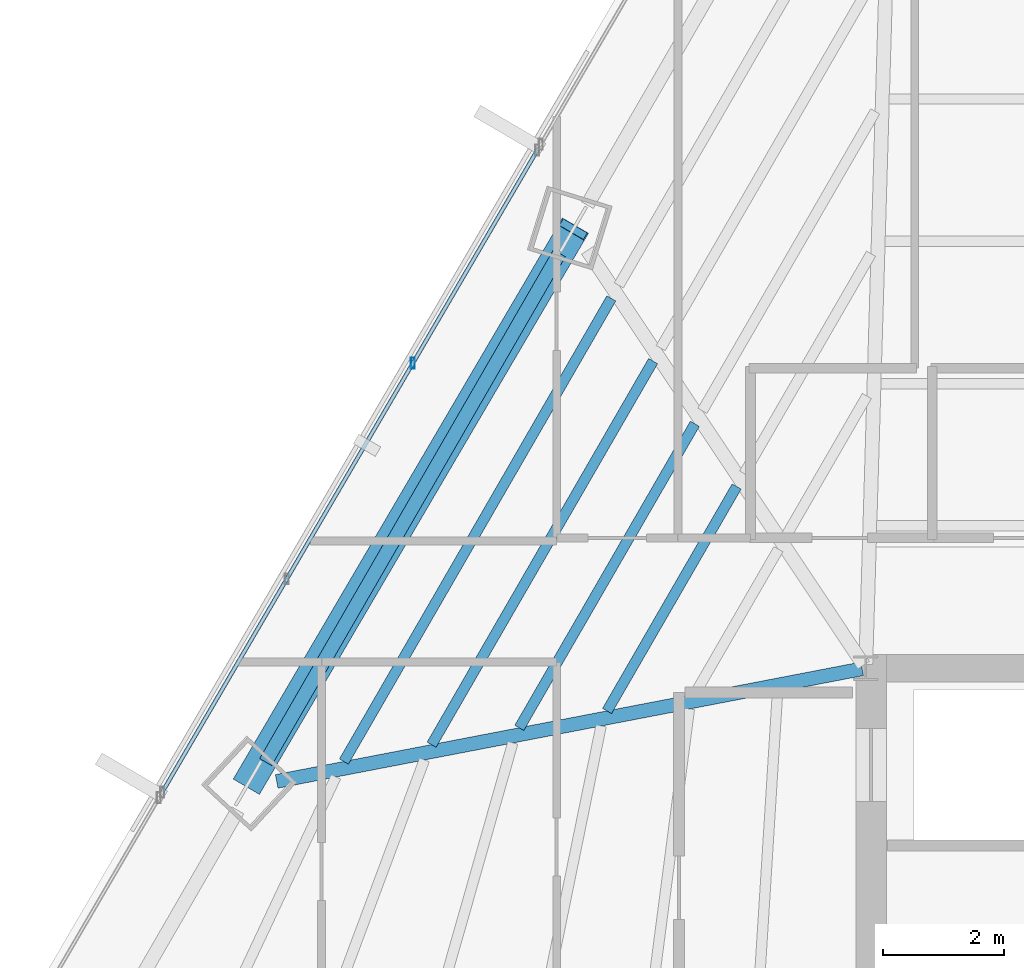
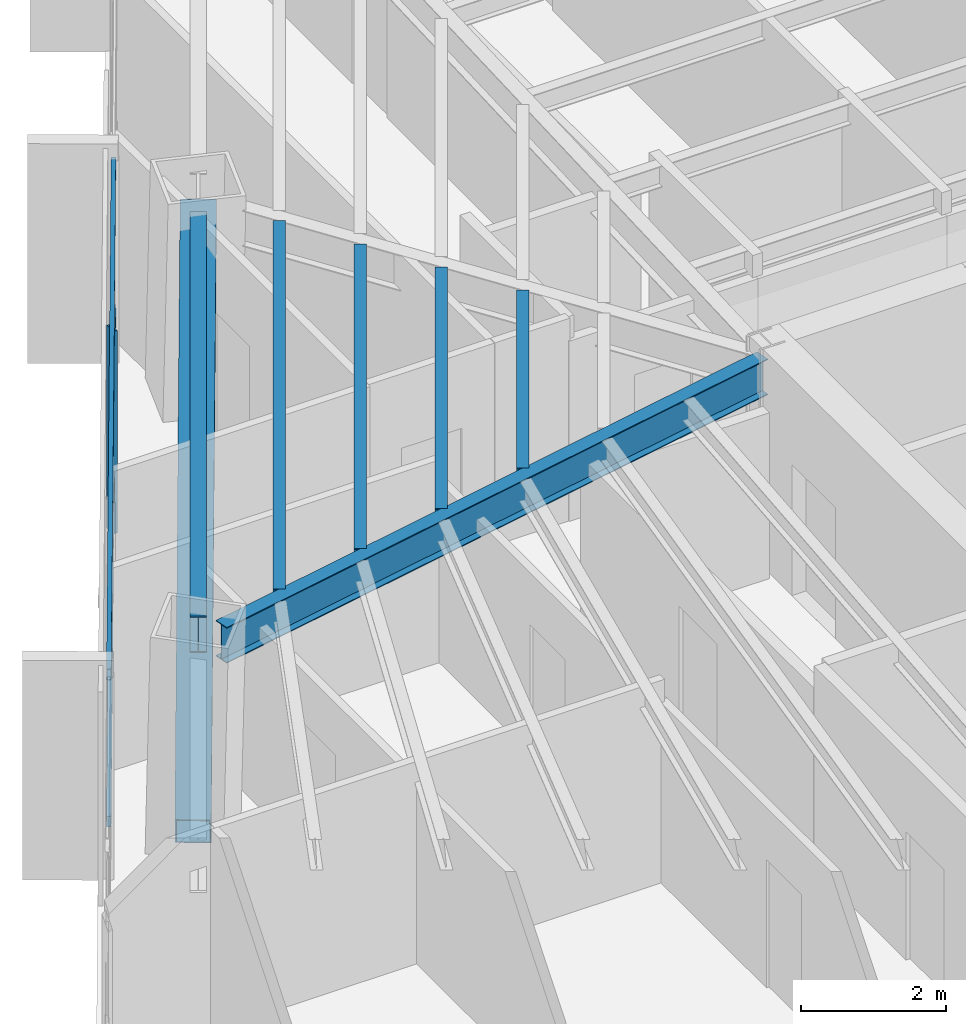
# One storey, part 14 of 37: 6 beams, 4 members, 1 element without a shape of its own.
"""IFC4 building model written with IfcOpenShell, lengths in metres."""

import ifcopenshell
import ifcopenshell.guid

model = None  # the IFC model being written
_history = None  # IfcOwnerHistory: only IFC2X3 demands one
_inside = {}  # id of a spatial element -> (the spatial element, [elements in it])
_under = {}  # id of a project, library or spatial element -> (it, [spatial elements below it])
_declared = {}  # id of a project -> (the project, [libraries it declares])
_typed = {}  # id of a type object -> (the type object, [elements of that type])
_made_of = {}  # id of a material, layer set ... -> (it, [elements and type objects made of it])


def new_model(schema):
    """Start an empty IFC model of exactly this schema.

    Asked for "IFC4X3", IfcOpenShell would pick the latest addendum, in which some entities
    have other attributes; the version numbers below select the first issue.
    IFC2X3 requires an IfcOwnerHistory on every rooted entity: one is made here for all.
    """
    global model, _history
    if schema == "IFC4X3":
        model = ifcopenshell.file(schema_version=(4, 3, 0, 0))
    else:
        model = ifcopenshell.file(schema=schema)
    _inside.clear()
    _under.clear()
    _declared.clear()
    _typed.clear()
    _made_of.clear()
    _history = None
    if model.schema == "IFC2X3":
        org = make("IfcOrganization", Name="unknown")
        user = make(
            "IfcPersonAndOrganization",
            ThePerson=make("IfcPerson", FamilyName="unknown"),
            TheOrganization=org,
        )
        app = make(
            "IfcApplication",
            ApplicationDeveloper=org,
            Version="unknown",
            ApplicationFullName="unknown",
            ApplicationIdentifier="unknown",
        )
        _history = make(
            "IfcOwnerHistory",
            OwningUser=user,
            OwningApplication=app,
            ChangeAction="ADDED",
            CreationDate=0,
        )
    return model


def make(cls, **values):
    """One entity of the class cls with the attributes given. An attribute that is None is left unset."""
    return model.create_entity(
        cls, **{name: value for name, value in values.items() if value is not None}
    )


def rooted(cls, **values):
    """An entity with a GlobalId (a new one), such as an element, a storey or a relation."""
    return make(cls, GlobalId=ifcopenshell.guid.new(), OwnerHistory=_history, **values)


def si_unit(unit_type, name, prefix=None):
    """IfcSIUnit, for example si_unit("LENGTHUNIT", "METRE", prefix="MILLI")."""
    return make("IfcSIUnit", UnitType=unit_type, Prefix=prefix, Name=name)


def assignment(units):
    """IfcUnitAssignment: the units of a project."""
    return None if units is None else make("IfcUnitAssignment", Units=units)


def point(xyz):
    """IfcCartesianPoint."""
    return None if xyz is None else make("IfcCartesianPoint", Coordinates=xyz)


def direction(xyz):
    """IfcDirection."""
    return None if xyz is None else make("IfcDirection", DirectionRatios=xyz)


def frame(location, z_axis=None, x_axis=None):
    """IfcAxis2Placement3D, a coordinate frame: its origin and axes. An axis left out is left unset."""
    return make(
        "IfcAxis2Placement3D",
        Location=point(location),
        Axis=direction(z_axis),
        RefDirection=direction(x_axis),
    )


def frame_2d(location, x_axis=None):
    """IfcAxis2Placement2D, a coordinate frame in the plane: its origin and x axis."""
    return make(
        "IfcAxis2Placement2D", Location=point(location), RefDirection=direction(x_axis)
    )


def origin():
    """The frame at (0, 0, 0) with its axes left unset."""
    return frame((0.0, 0.0, 0.0))


def origin_2d():
    """The frame at (0, 0) in the plane with its x axis left unset."""
    return frame_2d((0.0, 0.0))


def place(relative_to, where):
    """IfcLocalPlacement: puts the frame where relative to a parent placement (None: the world)."""
    return make(
        "IfcLocalPlacement", PlacementRelTo=relative_to, RelativePlacement=where
    )


def context(
    kind, dimensions, precision=None, world=None, true_north=None, identifier=None
):
    """IfcGeometricRepresentationContext, for example the 3D "Model" context."""
    return make(
        "IfcGeometricRepresentationContext",
        ContextIdentifier=identifier,
        ContextType=kind,
        CoordinateSpaceDimension=dimensions,
        Precision=precision,
        WorldCoordinateSystem=world,
        TrueNorth=true_north,
    )


def subcontext(parent, identifier, kind, view, scale=None):
    """IfcGeometricRepresentationSubContext, for example "Body" below "Model"."""
    return make(
        "IfcGeometricRepresentationSubContext",
        ContextIdentifier=identifier,
        ContextType=kind,
        ParentContext=parent,
        TargetScale=scale,
        TargetView=view,
    )


def project(units=None, contexts=None):
    """IfcProject with its units and contexts."""
    return rooted(
        "IfcProject",
        Name="project",
        RepresentationContexts=contexts,
        UnitsInContext=assignment(units),
    )


def spatial(cls, under=None, at=None, **own):
    """A site, building, storey or space (cls), placed at a placement, below another one or the project."""
    s = rooted(cls, ObjectPlacement=at, **own)
    if under is not None:
        _under.setdefault(under.id(), (under, []))[1].append(s)
    return s


def profile(cls, at=None, kind="AREA", **sizes):
    """A parametric profile (cls). Its sizes go by their IFC names, for example OverallWidth=200.0."""
    return make(cls, ProfileType=kind, Position=at, **sizes)


def hollow_rectangle(**sizes):
    """IfcRectangleHollowProfileDef."""
    return profile("IfcRectangleHollowProfileDef", **sizes)


def i_section(**sizes):
    """IfcIShapeProfileDef."""
    return profile("IfcIShapeProfileDef", **sizes)


def extrude(swept, where, along, depth):
    """IfcExtrudedAreaSolid: the profile swept, set in the frame where, extruded along a direction by depth."""
    return make(
        "IfcExtrudedAreaSolid",
        SweptArea=swept,
        Position=where,
        ExtrudedDirection=direction(along),
        Depth=depth,
    )


def shape(context_of_items, identifier, shape_type, items):
    """IfcShapeRepresentation: the items that make up one representation, for example the "Body"."""
    return make(
        "IfcShapeRepresentation",
        ContextOfItems=context_of_items,
        RepresentationIdentifier=identifier,
        RepresentationType=shape_type,
        Items=items,
    )


def source(mapping_origin, context_of_items, identifier, shape_type, items):
    """IfcRepresentationMap: a shape defined once, which mapped items show again and again."""
    return make(
        "IfcRepresentationMap",
        MappingOrigin=mapping_origin,
        MappedRepresentation=shape(context_of_items, identifier, shape_type, items),
    )


def transform(
    local_origin,
    x_axis=None,
    y_axis=None,
    z_axis=None,
    scale=None,
    scale2=None,
    scale3=None,
    uniform=True,
):
    """IfcCartesianTransformationOperator3D, or its non-uniform kind. x_axis, y_axis, z_axis: its Axis1, 2, 3."""
    if uniform:
        return make(
            "IfcCartesianTransformationOperator3D",
            Axis1=direction(x_axis),
            Axis2=direction(y_axis),
            LocalOrigin=point(local_origin),
            Scale=scale,
            Axis3=direction(z_axis),
        )
    return make(
        "IfcCartesianTransformationOperator3DnonUniform",
        Axis1=direction(x_axis),
        Axis2=direction(y_axis),
        LocalOrigin=point(local_origin),
        Scale=scale,
        Axis3=direction(z_axis),
        Scale2=scale2,
        Scale3=scale3,
    )


def mapped(mapping_source, mapping_target):
    """IfcMappedItem: shows the shape of a source again, moved by a transform."""
    return make(
        "IfcMappedItem", MappingSource=mapping_source, MappingTarget=mapping_target
    )


def material(Name=None, Category=None):
    """IfcMaterial."""
    return make("IfcMaterial", Name=Name, Category=Category)


def material_profile(
    of_material, cross_section, Name=None, Category=None, Priority=None
):
    """IfcMaterialProfile: a cross section and its material."""
    return make(
        "IfcMaterialProfile",
        Name=Name,
        Material=of_material,
        Profile=cross_section,
        Priority=Priority,
        Category=Category,
    )


def profile_set(profiles, Name=None, composite=None):
    """IfcMaterialProfileSet."""
    return make(
        "IfcMaterialProfileSet",
        Name=Name,
        MaterialProfiles=profiles,
        CompositeProfile=composite,
    )


def made_of(thing, what):
    """Note that an element or type object is made of a material, layer set ...; save() writes the relation."""
    if what is not None:
        _made_of.setdefault(what.id(), (what, []))[1].append(thing)
    return thing


def type_object(cls, material=None, **own):
    """A type object (cls), such as IfcWallType, which elements share."""
    return made_of(rooted(cls, **own), material)


def type_shapes(of_type, sources):
    """Give a type object the sources (RepresentationMaps) that its elements show as mapped items."""
    of_type.RepresentationMaps = sources


def element(
    cls,
    number,
    at=None,
    inside=None,
    cuts=None,
    type_object=None,
    material=None,
    context=None,
    identifier="Body",
    shape_type=None,
    held_by="IfcProductDefinitionShape",
    body=None,
    shapes=None,
    **own,
):
    """One element of the class cls, such as IfcWall. Its Tag is "e" and its number.

    at: its placement. inside: the storey or other place that contains it. cuts: it is an
    opening in that element (IfcRelVoidsElement). A single representation is given by context,
    identifier, shape_type and body (its items); several are given by shapes. held_by: the class
    of the entity that holds the representations. save() writes the other relations.
    """
    e = rooted(cls, Tag="e%d" % number, ObjectPlacement=at, **own)
    if body is not None:
        shapes = [shape(context, identifier, shape_type, body)]
    if shapes is not None:
        e.Representation = make(held_by, Representations=shapes)
    if inside is not None:
        _inside.setdefault(inside.id(), (inside, []))[1].append(e)
    if cuts is not None:
        rooted(
            "IfcRelVoidsElement", RelatingBuildingElement=cuts, RelatedOpeningElement=e
        )
    if type_object is not None:
        _typed.setdefault(type_object.id(), (type_object, []))[1].append(e)
    return made_of(e, material)


def aggregate(whole, parts):
    """IfcRelAggregates: a whole, such as a stair, and the parts it consists of."""
    return rooted("IfcRelAggregates", RelatingObject=whole, RelatedObjects=parts)


def save(model, path):
    """Write the relations noted so far, then the file.

    IfcRelAggregates (storeys below a building ...), IfcRelContainedInSpatialStructure (elements
    in a storey), IfcRelDefinesByType, IfcRelAssociatesMaterial and IfcRelDeclares: one each for
    every whole, place, type object, material and project.
    """
    for whole, parts in _under.values():
        aggregate(whole, parts)
    for where, things in _inside.values():
        rooted(
            "IfcRelContainedInSpatialStructure",
            RelatedElements=things,
            RelatingStructure=where,
        )
    for kind, things in _typed.values():
        rooted("IfcRelDefinesByType", RelatedObjects=things, RelatingType=kind)
    for what, things in _made_of.values():
        rooted("IfcRelAssociatesMaterial", RelatedObjects=things, RelatingMaterial=what)
    for by, libraries in _declared.values():
        rooted("IfcRelDeclares", RelatingContext=by, RelatedDefinitions=libraries)
    model.write(path)


model = new_model("IFC4")

# Units and contexts
model_context = context("Model", 3, precision=1e-05, world=origin(), true_north=direction((0.0, 1.0)))
body_context = subcontext(model_context, "Body", "Model", "MODEL_VIEW")
ifc_project = project(units=[si_unit("LENGTHUNIT", "METRE"), si_unit("AREAUNIT", "SQUARE_METRE"), si_unit("VOLUMEUNIT", "CUBIC_METRE"), si_unit("PLANEANGLEUNIT", "RADIAN"), si_unit("MASSUNIT", "GRAM", prefix="KILO")], contexts=[model_context])

# Site, building, storey
site_placement = place(None, origin())
site = spatial("IfcSite", under=ifc_project, at=site_placement, CompositionType="ELEMENT")
building_placement = place(site_placement, origin())
building = spatial("IfcBuilding", under=site, at=building_placement, Name="Caelisora Broadcast Tower", CompositionType="ELEMENT")
storey_placement = place(building_placement, frame((0.0, 0.0, 120.0)))
storey = spatial("IfcBuildingStorey", under=building, at=storey_placement, Name="L31", CompositionType="ELEMENT", Elevation=120.0)

# Beams
ifc_material_1 = material(Name="Steel Grade 350 (AS/NZS 3679.1)", Category="steel")
ifc_material_profile_1 = material_profile(ifc_material_1, i_section(OverallWidth=0.22900390625, OverallDepth=0.611572265625, WebThickness=0.011962890625, FlangeThickness=0.01953125, at=origin_2d()), Name="Steel Grade 350 (AS/NZS 3679.1)")
ifc_profile_set_1 = profile_set([ifc_material_profile_1], Name="Steel Grade 350 (AS/NZS 3679.1)")
beam_type_1 = type_object("IfcBeamType", Name="PG03", PredefinedType="BEAM", material=ifc_profile_set_1)
shared_shape_1 = source(origin(), body_context, "Body", "SweptSolid", [
    extrude(i_section(OverallWidth=0.22900390625, OverallDepth=0.611572265625, WebThickness=0.011962890625, FlangeThickness=0.01953125, at=origin_2d()), origin(), (0.0, 0.0, 1.0), 9.697265625),
])
type_shapes(beam_type_1, [shared_shape_1])
beam_1_placement = place(storey_placement, frame((25.4443359375, 36.847900390625, 3.09423828125), z_axis=(-0.499994865794, -0.866028367999, 0.0), x_axis=(0.866028367999, -0.499994865794, 0.0)))
element("IfcBeam", 1, at=beam_1_placement, inside=storey, type_object=beam_type_1, Name="L31 beam PG03", PredefinedType="BEAM", context=body_context, shape_type="MappedRepresentation", body=[
    mapped(shared_shape_1, transform((0.0, 0.0, 0.0), scale=1.0)),
])
ifc_material_profile_2 = material_profile(ifc_material_1, i_section(OverallWidth=0.22802734375, OverallDepth=0.602294921875, WebThickness=0.010498046875, FlangeThickness=0.014892578125, at=origin_2d()), Name="Steel Grade 350 (AS/NZS 3679.1)")
ifc_profile_set_2 = profile_set([ifc_material_profile_2], Name="Steel Grade 350 (AS/NZS 3679.1)")
beam_type_2 = type_object("IfcBeamType", Name="PG04", PredefinedType="BEAM", material=ifc_profile_set_2)
shared_shape_2 = source(origin(), body_context, "Body", "SweptSolid", [
    extrude(i_section(OverallWidth=0.22802734375, OverallDepth=0.602294921875, WebThickness=0.010498046875, FlangeThickness=0.014892578125, at=origin_2d()), origin(), (0.0, 0.0, 1.0), 9.840087890625),
])
type_shapes(beam_type_2, [shared_shape_2])
beam_2_placement = place(storey_placement, frame((30.441162109375, 29.98876953125, 3.098876953125), z_axis=(-0.98200892443, -0.188834510456, 0.0), x_axis=(0.188834510456, -0.98200892443, 0.0)))
element("IfcBeam", 2, at=beam_2_placement, inside=storey, type_object=beam_type_2, Name="L31 beam PG04", PredefinedType="BEAM", context=body_context, shape_type="MappedRepresentation", body=[
    mapped(shared_shape_2, transform((0.0, 0.0, 0.0), scale=1.0)),
])
ifc_material_profile_3 = material_profile(ifc_material_1, i_section(OverallWidth=0.172119140625, OverallDepth=0.358642578125, WebThickness=0.008056640625, FlangeThickness=0.012939453125, at=origin_2d()), Name="Steel Grade 350 (AS/NZS 3679.1)")
ifc_profile_set_3 = profile_set([ifc_material_profile_3], Name="Steel Grade 350 (AS/NZS 3679.1)")
beam_type_3 = type_object("IfcBeamType", Name="SB02", PredefinedType="JOIST", material=ifc_profile_set_3)
shared_shape_3 = source(origin(), body_context, "Body", "SweptSolid", [
    extrude(i_section(OverallWidth=0.172119140625, OverallDepth=0.358642578125, WebThickness=0.008056640625, FlangeThickness=0.012939453125, at=origin_2d()), origin(), (0.0, 0.0, 1.0), 4.2783203125),
])
beam_3_placement = place(storey_placement, frame((28.36962890625, 32.998046875, 3.220703125), z_axis=(-0.49993815404, -0.866061107622, 0.0), x_axis=(0.866061107622, -0.49993815404, 0.0)))
element("IfcBeam", 3, at=beam_3_placement, inside=storey, type_object=beam_type_3, Name="L31 beam SB02", PredefinedType="JOIST", context=body_context, shape_type="MappedRepresentation", body=[
    mapped(shared_shape_3, transform((0.0, 0.0, 0.0), scale=1.0)),
])
shared_shape_4 = source(origin(), body_context, "Body", "SweptSolid", [
    extrude(i_section(OverallWidth=0.172119140625, OverallDepth=0.358642578125, WebThickness=0.008056640625, FlangeThickness=0.012939453125, at=origin_2d()), origin(), (0.0, 0.0, 1.0), 5.795166015625),
])
beam_4_placement = place(storey_placement, frame((27.680419921875, 34.033203125, 3.220703125), z_axis=(-0.500012970505, -0.86601791513, 0.0), x_axis=(0.86601791513, -0.500012970505, 0.0)))
element("IfcBeam", 4, at=beam_4_placement, inside=storey, type_object=beam_type_3, Name="L31 beam SB02", PredefinedType="JOIST", context=body_context, shape_type="MappedRepresentation", body=[
    mapped(shared_shape_4, transform((0.0, 0.0, 0.0), scale=1.0)),
])
shared_shape_5 = source(origin(), body_context, "Body", "SweptSolid", [
    extrude(i_section(OverallWidth=0.172119140625, OverallDepth=0.358642578125, WebThickness=0.008056640625, FlangeThickness=0.012939453125, at=origin_2d()), origin(), (0.0, 0.0, 1.0), 7.31201171875),
])
beam_5_placement = place(storey_placement, frame((26.990966796875, 35.068359375, 3.220703125), z_axis=(-0.500006662879, -0.866021556935, 0.0), x_axis=(0.866021556935, -0.500006662879, 0.0)))
element("IfcBeam", 5, at=beam_5_placement, inside=storey, type_object=beam_type_3, Name="L31 beam SB02", PredefinedType="JOIST", context=body_context, shape_type="MappedRepresentation", body=[
    mapped(shared_shape_5, transform((0.0, 0.0, 0.0), scale=1.0)),
])
shared_shape_6 = source(origin(), body_context, "Body", "SweptSolid", [
    extrude(i_section(OverallWidth=0.172119140625, OverallDepth=0.358642578125, WebThickness=0.008056640625, FlangeThickness=0.012939453125, at=origin_2d()), origin(), (0.0, 0.0, 1.0), 8.82861328125),
])
type_shapes(beam_type_3, [shared_shape_3, shared_shape_4, shared_shape_5, shared_shape_6])
beam_6_placement = place(storey_placement, frame((26.301513671875, 36.103515625, 3.220703125), z_axis=(-0.500002522405, -0.866023947468, 0.0), x_axis=(0.866023947468, -0.500002522405, 0.0)))
element("IfcBeam", 6, at=beam_6_placement, inside=storey, type_object=beam_type_3, Name="L31 beam SB02", PredefinedType="JOIST", context=body_context, shape_type="MappedRepresentation", body=[
    mapped(shared_shape_6, transform((0.0, 0.0, 0.0), scale=1.0)),
])

# Member
ifc_material_2 = material(Name="Steel Grade 450 L15 (AS/NZS 3678)", Category="steel")
ifc_material_profile_4 = material_profile(ifc_material_2, hollow_rectangle(XDim=0.5, YDim=0.5, WallThickness=0.02001953125, at=origin_2d()), Name="Steel Grade 450 L15 (AS/NZS 3678)")
ifc_profile_set_4 = profile_set([ifc_material_profile_4], Name="Steel Grade 450 L15 (AS/NZS 3678)")
member_type_1 = type_object("IfcMemberType", Name="BR02", PredefinedType="BRACE", material=ifc_profile_set_4)
shared_shape_7 = source(origin(), body_context, "Body", "SweptSolid", [
    extrude(hollow_rectangle(XDim=0.5, YDim=0.5, WallThickness=0.02001953125, at=origin_2d()), origin(), (0.0, 0.0, 1.0), 11.017333984375),
])
type_shapes(member_type_1, [shared_shape_7])
member_1_placement = place(storey_placement, frame((25.67431640625, 37.24609375, 3.10009765625), z_axis=(-0.486784745735, -0.82999602365, -0.272299856858), x_axis=(0.862591238111, -0.505901527902, 0.0)))
element("IfcMember", 7, at=member_1_placement, inside=storey, type_object=member_type_1, Name="L31 perimeter brace BR02", PredefinedType="BRACE", context=body_context, shape_type="MappedRepresentation", body=[
    mapped(shared_shape_7, transform((0.0, 0.0, 0.0), scale=1.0)),
])

# Curtain wall, members
ifc_material_3 = material(Name="Unitised Aluminium Insulated Shadow-Box Spandrel Curtain Wall", Category="aluminium")
curtain_wall_type = type_object("IfcCurtainWallType", Name="CW-SP1", PredefinedType="NOTDEFINED", material=ifc_material_3)
curtain_wall_placement = place(storey_placement, origin())
curtain_wall = element("IfcCurtainWall", 8, at=curtain_wall_placement, inside=storey, type_object=curtain_wall_type, Name="L31 curtain wall CW-SP1", PredefinedType="NOTDEFINED")
ifc_material_4 = material(Name="Aluminium 6063-T6 Anodised Terracotta Bronze", Category="aluminium")
ifc_material_profile_5 = material_profile(ifc_material_4, hollow_rectangle(XDim=0.06494140625, YDim=0.179931640625, WallThickness=0.00341796875, at=origin_2d()), Name="Aluminium 6063-T6 Anodised Terracotta Bronze")
ifc_profile_set_5 = profile_set([ifc_material_profile_5], Name="Aluminium 6063-T6 Anodised Terracotta Bronze")
member_type_2 = type_object("IfcMemberType", Name="CWM-02", PredefinedType="MULLION", material=ifc_profile_set_5)
shared_shape_8 = source(origin(), body_context, "Body", "SweptSolid", [
    extrude(hollow_rectangle(XDim=0.06494140625, YDim=0.179931640625, WallThickness=0.00341796875, at=origin_2d()), origin(), (0.0, 0.0, 1.0), 3.39990234375),
])
type_shapes(member_type_2, [shared_shape_8])
member_2_placement = place(storey_placement, frame((23.02587890625, 35.033447265625, 0.0), z_axis=(0.0, 0.0, 1.0), x_axis=(1.0, 0.0, 0.0)))
member_2 = element("IfcMember", 9, at=member_2_placement, type_object=member_type_2, Name="L31-CW-B10 mullion #2", PredefinedType="MULLION", context=body_context, shape_type="MappedRepresentation", body=[
    mapped(shared_shape_8, transform((0.0, 0.0, 0.0), scale=1.0)),
])
ifc_material_profile_6 = material_profile(ifc_material_4, hollow_rectangle(XDim=0.06494140625, YDim=0.179931640625, WallThickness=0.00341796875, at=origin_2d()), Name="Aluminium 6063-T6 Anodised Terracotta Bronze")
ifc_profile_set_6 = profile_set([ifc_material_profile_6], Name="Aluminium 6063-T6 Anodised Terracotta Bronze")
member_type_3 = type_object("IfcMemberType", Name="CWT-01", PredefinedType="USERDEFINED", material=ifc_profile_set_6)
shared_shape_9 = source(origin(), body_context, "Body", "SweptSolid", [
    extrude(hollow_rectangle(XDim=0.06494140625, YDim=0.179931640625, WallThickness=0.00341796875, at=origin_2d()), origin(), (0.0, 0.0, 1.0), 12.2744140625),
])
type_shapes(member_type_3, [shared_shape_9])
member_3_placement = place(storey_placement, frame((18.88916015625, 27.953857421875, 0.85009765625), z_axis=(0.504495425977, 0.863414364699, 0.0), x_axis=(-0.863414364699, 0.504495425977, 0.0)))
member_3 = element("IfcMember", 10, at=member_3_placement, type_object=member_type_3, Name="L31-CW-B10 transom #1", ObjectType="TRANSOM", PredefinedType="USERDEFINED", context=body_context, shape_type="MappedRepresentation", body=[
    mapped(shared_shape_9, transform((0.0, 0.0, 0.0), scale=1.0)),
])
member_4_placement = place(storey_placement, frame((18.88916015625, 27.953857421875, 3.320068359375), z_axis=(0.504495425977, 0.863414364699, 0.0), x_axis=(-0.863414364699, 0.504495425977, 0.0)))
member_4 = element("IfcMember", 11, at=member_4_placement, type_object=member_type_3, Name="L31-CW-B10 transom #2", ObjectType="TRANSOM", PredefinedType="USERDEFINED", context=body_context, shape_type="MappedRepresentation", body=[
    mapped(shared_shape_9, transform((0.0, 0.0, 0.0), scale=1.0)),
])
aggregate(curtain_wall, [member_2, member_3, member_4])

save(model, "model.ifc")
